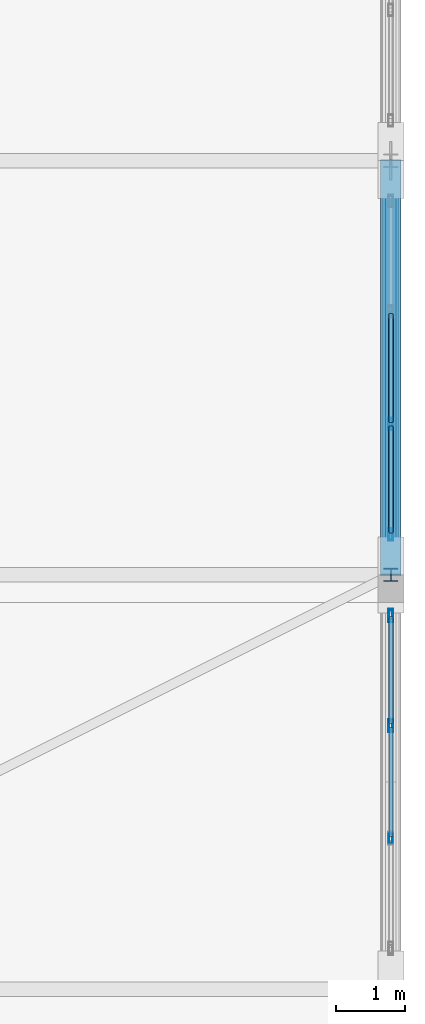
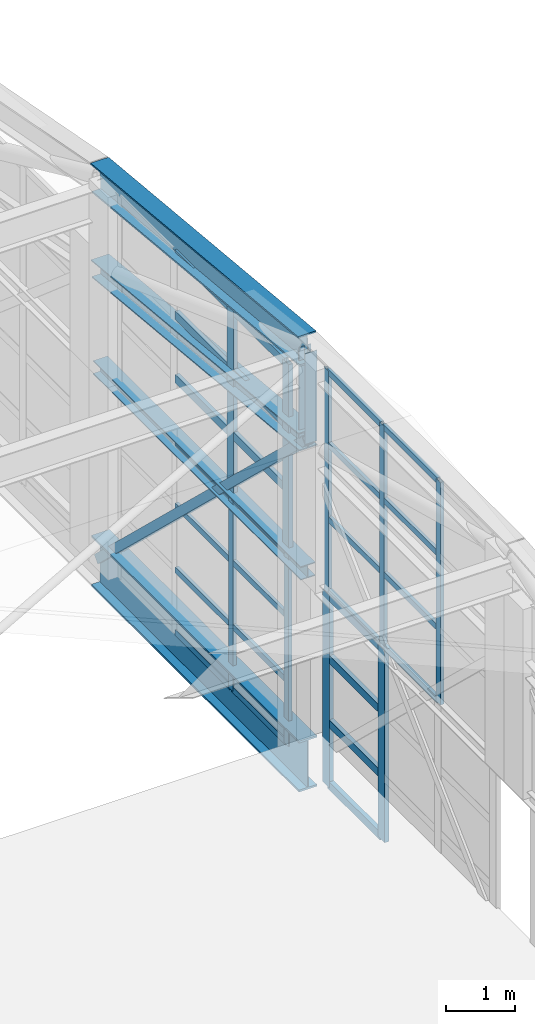
# One storey, part 137 of 204: 43 members, 4 elements without a shape of their own.
"""IFC4 building model written with IfcOpenShell, lengths in metres."""

from ifc_helpers import new_model, si_unit, direction, frame, origin, origin_2d, place, context, subcontext, project, spatial, hollow_rectangle, i_section, extrude, material, layer, layer_set, material_profile, profile_set, type_object, element, aggregate, save


model = new_model("IFC4")

# Units and contexts
model_context = context("Model", 3, precision=1e-05, world=origin(), true_north=direction((0.0, 1.0)))
body_context = subcontext(model_context, "Body", "Model", "MODEL_VIEW")
ifc_project = project(units=[si_unit("LENGTHUNIT", "METRE"), si_unit("AREAUNIT", "SQUARE_METRE"), si_unit("VOLUMEUNIT", "CUBIC_METRE"), si_unit("PLANEANGLEUNIT", "RADIAN"), si_unit("MASSUNIT", "GRAM", prefix="KILO")], contexts=[model_context])

# Site, building, storey
site_placement = place(None, origin())
site = spatial("IfcSite", under=ifc_project, at=site_placement, CompositionType="ELEMENT")
building_placement = place(site_placement, origin())
building = spatial("IfcBuilding", under=site, at=building_placement, Name="Zilviju Railside Exhibition Hall", CompositionType="ELEMENT")
storey_placement = place(building_placement, frame((0.0, 0.0, 21.0)))
storey = spatial("IfcBuildingStorey", under=building, at=storey_placement, Name="RF", CompositionType="ELEMENT", Elevation=21.0)

# Curtain wall, members
ifc_material_1 = material(Name="Thermally broken aluminium-steel triple-glazed curtain wall", Category="steel")
ifc_layer_1 = layer(ifc_material_1, 0.179931640625)
ifc_layer_set_1 = layer_set([ifc_layer_1], Name="Thermally broken aluminium-steel triple-glazed curtain wall")
curtain_wall_type_1 = type_object("IfcCurtainWallType", Name="CW-BAY-18", PredefinedType="USERDEFINED", material=ifc_layer_set_1)
curtain_wall_1_placement = place(storey_placement, origin())
curtain_wall_1 = element("IfcCurtainWall", 1, at=curtain_wall_1_placement, inside=storey, type_object=curtain_wall_type_1, Name="North Hall Arch Lower Tympanum Glazing East P6", ObjectType="GLAZED CURTAIN WALL", PredefinedType="USERDEFINED")
ifc_material_2 = material(Name="Thermally broken anodized aluminium mullion", Category="aluminium")
ifc_material_profile_1 = material_profile(ifc_material_2, hollow_rectangle(XDim=0.054931640625, YDim=0.1298828125, WallThickness=0.0048828125, at=origin_2d()), Name="MULLION 130x55x5")
ifc_profile_set_1 = profile_set([ifc_material_profile_1], Name="Thermally broken anodized aluminium mullion")
member_type_1 = type_object("IfcMemberType", Name="CWM-55x130", PredefinedType="MULLION", material=ifc_profile_set_1)
member_1_placement = place(storey_placement, frame((216.0, 116.183349609375, -3.60009765625), z_axis=(0.0, 0.0, 1.0), x_axis=(1.0, 0.0, 0.0)))
member_1 = element("IfcMember", 2, at=member_1_placement, type_object=member_type_1, Name="CW-18 mullion 3", PredefinedType="MULLION", context=body_context, shape_type="SweptSolid", body=[
    extrude(hollow_rectangle(XDim=0.054931640625, YDim=0.1298828125, WallThickness=0.0048828125, at=origin_2d()), origin(), (0.0, 0.0, 1.0), 3.400146484375),
])
member_2_placement = place(storey_placement, frame((216.0, 114.577392578125, -3.60009765625), z_axis=(0.0, 0.0, 1.0), x_axis=(1.0, 0.0, 0.0)))
member_2 = element("IfcMember", 3, at=member_2_placement, type_object=member_type_1, Name="CW-18 mullion 4", PredefinedType="MULLION", context=body_context, shape_type="SweptSolid", body=[
    extrude(hollow_rectangle(XDim=0.054931640625, YDim=0.1298828125, WallThickness=0.0048828125, at=origin_2d()), origin(), (0.0, 0.0, 1.0), 3.400146484375),
])

ifc_layer_2 = layer(ifc_material_1, 0.179931640625)
ifc_layer_set_2 = layer_set([ifc_layer_2], Name="Thermally broken aluminium-steel triple-glazed curtain wall")
curtain_wall_type_2 = type_object("IfcCurtainWallType", Name="CW-BAY-04", PredefinedType="USERDEFINED", material=ifc_layer_set_2)
curtain_wall_2_placement = place(storey_placement, origin())
curtain_wall_2 = element("IfcCurtainWall", 4, at=curtain_wall_2_placement, inside=storey, type_object=curtain_wall_type_2, Name="North Hall Crown Arch Tympanum Glazing East P5", ObjectType="GLAZED CURTAIN WALL", PredefinedType="USERDEFINED")
member_3_placement = place(storey_placement, frame((216.0, 113.422607421875, -0.199951171875), z_axis=(0.0, 0.0, 1.0), x_axis=(1.0, 0.0, 0.0)))
member_3 = element("IfcMember", 5, at=member_3_placement, type_object=member_type_1, Name="CW-04 mullion 1", PredefinedType="MULLION", context=body_context, shape_type="SweptSolid", body=[
    extrude(hollow_rectangle(XDim=0.054931640625, YDim=0.1298828125, WallThickness=0.0048828125, at=origin_2d()), origin(), (0.0, 0.0, 1.0), 3.928466796875),
])
member_4_placement = place(storey_placement, frame((216.0, 111.816650390625, -0.199951171875), z_axis=(0.0, 0.0, 1.0), x_axis=(1.0, 0.0, 0.0)))
member_4 = element("IfcMember", 6, at=member_4_placement, type_object=member_type_1, Name="CW-04 mullion 2", PredefinedType="MULLION", context=body_context, shape_type="SweptSolid", body=[
    extrude(hollow_rectangle(XDim=0.054931640625, YDim=0.1298828125, WallThickness=0.0048828125, at=origin_2d()), origin(), (0.0, 0.0, 1.0), 3.928466796875),
])
member_5_placement = place(storey_placement, frame((216.0, 110.183349609375, -0.199951171875), z_axis=(0.0, 0.0, 1.0), x_axis=(1.0, 0.0, 0.0)))
member_5 = element("IfcMember", 7, at=member_5_placement, type_object=member_type_1, Name="CW-04 mullion 3", PredefinedType="MULLION", context=body_context, shape_type="SweptSolid", body=[
    extrude(hollow_rectangle(XDim=0.054931640625, YDim=0.1298828125, WallThickness=0.0048828125, at=origin_2d()), origin(), (0.0, 0.0, 1.0), 3.928466796875),
])

ifc_layer_3 = layer(ifc_material_1, 0.179931640625)
ifc_layer_set_3 = layer_set([ifc_layer_3], Name="Thermally broken aluminium-steel triple-glazed curtain wall")
curtain_wall_type_3 = type_object("IfcCurtainWallType", Name="CW-BAY-05", PredefinedType="USERDEFINED", material=ifc_layer_set_3)
curtain_wall_3_placement = place(storey_placement, origin())
curtain_wall_3 = element("IfcCurtainWall", 8, at=curtain_wall_3_placement, inside=storey, type_object=curtain_wall_type_3, Name="North Hall Crown Arch Tympanum Glazing East P6", ObjectType="GLAZED CURTAIN WALL", PredefinedType="USERDEFINED")
ifc_material_profile_2 = material_profile(ifc_material_2, hollow_rectangle(XDim=0.070068359375, YDim=0.179931640625, WallThickness=0.0048828125, at=origin_2d()), Name="MULLION 180x70x5")
ifc_profile_set_2 = profile_set([ifc_material_profile_2], Name="Thermally broken anodized aluminium mullion")
member_type_2 = type_object("IfcMemberType", Name="CWM-70x180", PredefinedType="MULLION", material=ifc_profile_set_2)
member_6_placement = place(storey_placement, frame((216.0, 116.183349609375, -0.199951171875), z_axis=(0.0, 0.0, 1.0), x_axis=(1.0, 0.0, 0.0)))
member_6 = element("IfcMember", 9, at=member_6_placement, type_object=member_type_2, Name="CW-05 mullion 3", PredefinedType="MULLION", context=body_context, shape_type="SweptSolid", body=[
    extrude(hollow_rectangle(XDim=0.070068359375, YDim=0.179931640625, WallThickness=0.0048828125, at=origin_2d()), origin(), (0.0, 0.0, 1.0), 3.35546875),
])
member_7_placement = place(storey_placement, frame((216.0, 114.5849609375, -0.199951171875), z_axis=(0.0, 0.0, 1.0), x_axis=(1.0, 0.0, 0.0)))
member_7 = element("IfcMember", 10, at=member_7_placement, type_object=member_type_2, Name="CW-05 mullion 4", PredefinedType="MULLION", context=body_context, shape_type="SweptSolid", body=[
    extrude(hollow_rectangle(XDim=0.070068359375, YDim=0.179931640625, WallThickness=0.0048828125, at=origin_2d()), origin(), (0.0, 0.0, 1.0), 3.35546875),
])

ifc_layer_4 = layer(ifc_material_1, 0.179931640625)
ifc_layer_set_4 = layer_set([ifc_layer_4], Name="Thermally broken aluminium-steel triple-glazed curtain wall")
curtain_wall_type_4 = type_object("IfcCurtainWallType", Name="CW-BAY-17", PredefinedType="USERDEFINED", material=ifc_layer_set_4)
curtain_wall_4_placement = place(storey_placement, origin())
curtain_wall_4 = element("IfcCurtainWall", 11, at=curtain_wall_4_placement, inside=storey, type_object=curtain_wall_type_4, Name="North Hall Arch Lower Tympanum Glazing East P5", ObjectType="GLAZED CURTAIN WALL", PredefinedType="USERDEFINED")
ifc_material_profile_3 = material_profile(ifc_material_2, hollow_rectangle(XDim=0.074951171875, YDim=0.18994140625, WallThickness=0.0048828125, at=origin_2d()), Name="MULLION 190x75x5")
ifc_profile_set_3 = profile_set([ifc_material_profile_3], Name="Thermally broken anodized aluminium mullion")
member_type_3 = type_object("IfcMemberType", Name="CWM-75x190", PredefinedType="MULLION", material=ifc_profile_set_3)
member_8_placement = place(storey_placement, frame((216.0, 113.41259765625, -3.60009765625), z_axis=(0.0, 0.0, 1.0), x_axis=(1.0, 0.0, 0.0)))
member_8 = element("IfcMember", 12, at=member_8_placement, type_object=member_type_3, Name="CW-17 mullion 1", PredefinedType="MULLION", context=body_context, shape_type="SweptSolid", body=[
    extrude(hollow_rectangle(XDim=0.074951171875, YDim=0.18994140625, WallThickness=0.0048828125, at=origin_2d()), origin(), (0.0, 0.0, 1.0), 3.400146484375),
])
member_9_placement = place(storey_placement, frame((216.0, 111.816650390625, -3.60009765625), z_axis=(0.0, 0.0, 1.0), x_axis=(1.0, 0.0, 0.0)))
member_9 = element("IfcMember", 13, at=member_9_placement, type_object=member_type_3, Name="CW-17 mullion 2", PredefinedType="MULLION", context=body_context, shape_type="SweptSolid", body=[
    extrude(hollow_rectangle(XDim=0.074951171875, YDim=0.18994140625, WallThickness=0.0048828125, at=origin_2d()), origin(), (0.0, 0.0, 1.0), 3.400146484375),
])

# Member
ifc_material_3 = material(Name="Thermally broken anodized aluminium transom", Category="aluminium")
ifc_material_profile_4 = material_profile(ifc_material_3, hollow_rectangle(XDim=0.054931640625, YDim=0.10498046875, WallThickness=0.0048828125, at=origin_2d()), Name="TRANSOM 105x55x5")
ifc_profile_set_4 = profile_set([ifc_material_profile_4], Name="Thermally broken anodized aluminium transom")
member_type_4 = type_object("IfcMemberType", Name="CWT-55x105", PredefinedType="USERDEFINED", material=ifc_profile_set_4)
member_10_placement = place(storey_placement, frame((216.0, 117.7890625, -3.572509765625), z_axis=(0.0, -1.0, 0.0), x_axis=(1.0, 0.0, 0.0)))
member_10 = element("IfcMember", 14, at=member_10_placement, type_object=member_type_4, Name="CW-18 transom 2.1", ObjectType="TRANSOM", PredefinedType="USERDEFINED", context=body_context, shape_type="SweptSolid", body=[
    extrude(hollow_rectangle(XDim=0.054931640625, YDim=0.10498046875, WallThickness=0.0048828125, at=origin_2d()), origin(), (0.0, 0.0, 1.0), 1.578125),
])

member_11_placement = place(storey_placement, frame((216.0, 117.7890625, -2.467041015625), z_axis=(0.0, -1.0, 0.0), x_axis=(1.0, 0.0, 0.0)))
member_11 = element("IfcMember", 15, at=member_11_placement, type_object=member_type_4, Name="CW-18 transom 2.2", ObjectType="TRANSOM", PredefinedType="USERDEFINED", context=body_context, shape_type="SweptSolid", body=[
    extrude(hollow_rectangle(XDim=0.054931640625, YDim=0.10498046875, WallThickness=0.0048828125, at=origin_2d()), origin(), (0.0, 0.0, 1.0), 1.578125),
])

member_12_placement = place(storey_placement, frame((216.0, 117.7890625, -1.3330078125), z_axis=(0.0, -1.0, 0.0), x_axis=(1.0, 0.0, 0.0)))
member_12 = element("IfcMember", 16, at=member_12_placement, type_object=member_type_4, Name="CW-18 transom 2.3", ObjectType="TRANSOM", PredefinedType="USERDEFINED", context=body_context, shape_type="SweptSolid", body=[
    extrude(hollow_rectangle(XDim=0.054931640625, YDim=0.10498046875, WallThickness=0.0048828125, at=origin_2d()), origin(), (0.0, 0.0, 1.0), 1.578125),
])

member_13_placement = place(storey_placement, frame((216.0, 117.7890625, -0.2275390625), z_axis=(0.0, -1.0, 0.0), x_axis=(1.0, 0.0, 0.0)))
member_13 = element("IfcMember", 17, at=member_13_placement, type_object=member_type_4, Name="CW-18 transom 2.4", ObjectType="TRANSOM", PredefinedType="USERDEFINED", context=body_context, shape_type="SweptSolid", body=[
    extrude(hollow_rectangle(XDim=0.054931640625, YDim=0.10498046875, WallThickness=0.0048828125, at=origin_2d()), origin(), (0.0, 0.0, 1.0), 1.578125),
])

member_14_placement = place(storey_placement, frame((216.0, 116.15576171875, -3.572509765625), z_axis=(0.0, -1.0, 0.0), x_axis=(1.0, 0.0, 0.0)))
member_14 = element("IfcMember", 18, at=member_14_placement, type_object=member_type_4, Name="CW-18 transom 3.1", ObjectType="TRANSOM", PredefinedType="USERDEFINED", context=body_context, shape_type="SweptSolid", body=[
    extrude(hollow_rectangle(XDim=0.054931640625, YDim=0.10498046875, WallThickness=0.0048828125, at=origin_2d()), origin(), (0.0, 0.0, 1.0), 1.55078125),
])

member_15_placement = place(storey_placement, frame((216.0, 116.15576171875, -2.467041015625), z_axis=(0.0, -1.0, 0.0), x_axis=(1.0, 0.0, 0.0)))
member_15 = element("IfcMember", 19, at=member_15_placement, type_object=member_type_4, Name="CW-18 transom 3.2", ObjectType="TRANSOM", PredefinedType="USERDEFINED", context=body_context, shape_type="SweptSolid", body=[
    extrude(hollow_rectangle(XDim=0.054931640625, YDim=0.10498046875, WallThickness=0.0048828125, at=origin_2d()), origin(), (0.0, 0.0, 1.0), 1.55078125),
])

member_16_placement = place(storey_placement, frame((216.0, 116.15576171875, -1.3330078125), z_axis=(0.0, -1.0, 0.0), x_axis=(1.0, 0.0, 0.0)))
member_16 = element("IfcMember", 20, at=member_16_placement, type_object=member_type_4, Name="CW-18 transom 3.3", ObjectType="TRANSOM", PredefinedType="USERDEFINED", context=body_context, shape_type="SweptSolid", body=[
    extrude(hollow_rectangle(XDim=0.054931640625, YDim=0.10498046875, WallThickness=0.0048828125, at=origin_2d()), origin(), (0.0, 0.0, 1.0), 1.55078125),
])

member_17_placement = place(storey_placement, frame((216.0, 116.15576171875, -0.2275390625), z_axis=(0.0, -1.0, 0.0), x_axis=(1.0, 0.0, 0.0)))
member_17 = element("IfcMember", 21, at=member_17_placement, type_object=member_type_4, Name="CW-18 transom 3.4", ObjectType="TRANSOM", PredefinedType="USERDEFINED", context=body_context, shape_type="SweptSolid", body=[
    extrude(hollow_rectangle(XDim=0.054931640625, YDim=0.10498046875, WallThickness=0.0048828125, at=origin_2d()), origin(), (0.0, 0.0, 1.0), 1.55078125),
])

aggregate(curtain_wall_1, [member_1, member_2, member_10, member_11, member_12, member_13, member_14, member_15, member_16, member_17])

member_18_placement = place(storey_placement, frame((216.0, 113.39501953125, -0.172607421875), z_axis=(0.0, -1.0, 0.0), x_axis=(1.0, 0.0, 0.0)))
member_18 = element("IfcMember", 22, at=member_18_placement, type_object=member_type_4, Name="CW-04 transom 1.1", ObjectType="TRANSOM", PredefinedType="USERDEFINED", context=body_context, shape_type="SweptSolid", body=[
    extrude(hollow_rectangle(XDim=0.054931640625, YDim=0.10498046875, WallThickness=0.0048828125, at=origin_2d()), origin(), (0.0, 0.0, 1.0), 1.55078125),
])

member_19_placement = place(storey_placement, frame((216.0, 113.39501953125, 1.10888671875), z_axis=(0.0, -1.0, 0.0), x_axis=(1.0, 0.0, 0.0)))
member_19 = element("IfcMember", 23, at=member_19_placement, type_object=member_type_4, Name="CW-04 transom 1.2", ObjectType="TRANSOM", PredefinedType="USERDEFINED", context=body_context, shape_type="SweptSolid", body=[
    extrude(hollow_rectangle(XDim=0.054931640625, YDim=0.10498046875, WallThickness=0.0048828125, at=origin_2d()), origin(), (0.0, 0.0, 1.0), 1.55078125),
])

member_20_placement = place(storey_placement, frame((216.0, 113.39501953125, 2.4189453125), z_axis=(0.0, -1.0, 0.0), x_axis=(1.0, 0.0, 0.0)))
member_20 = element("IfcMember", 24, at=member_20_placement, type_object=member_type_4, Name="CW-04 transom 1.3", ObjectType="TRANSOM", PredefinedType="USERDEFINED", context=body_context, shape_type="SweptSolid", body=[
    extrude(hollow_rectangle(XDim=0.054931640625, YDim=0.10498046875, WallThickness=0.0048828125, at=origin_2d()), origin(), (0.0, 0.0, 1.0), 1.55078125),
])

member_21_placement = place(storey_placement, frame((216.0, 113.39501953125, 3.700927734375), z_axis=(0.0, -1.0, 0.0), x_axis=(1.0, 0.0, 0.0)))
member_21 = element("IfcMember", 25, at=member_21_placement, type_object=member_type_4, Name="CW-04 transom 1.4", ObjectType="TRANSOM", PredefinedType="USERDEFINED", context=body_context, shape_type="SweptSolid", body=[
    extrude(hollow_rectangle(XDim=0.054931640625, YDim=0.10498046875, WallThickness=0.0048828125, at=origin_2d()), origin(), (0.0, 0.0, 1.0), 1.55078125),
])

member_22_placement = place(storey_placement, frame((216.0, 111.7890625, -0.172607421875), z_axis=(0.0, -1.0, 0.0), x_axis=(1.0, 0.0, 0.0)))
member_22 = element("IfcMember", 26, at=member_22_placement, type_object=member_type_4, Name="CW-04 transom 2.1", ObjectType="TRANSOM", PredefinedType="USERDEFINED", context=body_context, shape_type="SweptSolid", body=[
    extrude(hollow_rectangle(XDim=0.054931640625, YDim=0.10498046875, WallThickness=0.0048828125, at=origin_2d()), origin(), (0.0, 0.0, 1.0), 1.578125),
])

member_23_placement = place(storey_placement, frame((216.0, 111.7890625, 1.10888671875), z_axis=(0.0, -1.0, 0.0), x_axis=(1.0, 0.0, 0.0)))
member_23 = element("IfcMember", 27, at=member_23_placement, type_object=member_type_4, Name="CW-04 transom 2.2", ObjectType="TRANSOM", PredefinedType="USERDEFINED", context=body_context, shape_type="SweptSolid", body=[
    extrude(hollow_rectangle(XDim=0.054931640625, YDim=0.10498046875, WallThickness=0.0048828125, at=origin_2d()), origin(), (0.0, 0.0, 1.0), 1.578125),
])

member_24_placement = place(storey_placement, frame((216.0, 111.7890625, 2.4189453125), z_axis=(0.0, -1.0, 0.0), x_axis=(1.0, 0.0, 0.0)))
member_24 = element("IfcMember", 28, at=member_24_placement, type_object=member_type_4, Name="CW-04 transom 2.3", ObjectType="TRANSOM", PredefinedType="USERDEFINED", context=body_context, shape_type="SweptSolid", body=[
    extrude(hollow_rectangle(XDim=0.054931640625, YDim=0.10498046875, WallThickness=0.0048828125, at=origin_2d()), origin(), (0.0, 0.0, 1.0), 1.578125),
])

member_25_placement = place(storey_placement, frame((216.0, 111.7890625, 3.700927734375), z_axis=(0.0, -1.0, 0.0), x_axis=(1.0, 0.0, 0.0)))
member_25 = element("IfcMember", 29, at=member_25_placement, type_object=member_type_4, Name="CW-04 transom 2.4", ObjectType="TRANSOM", PredefinedType="USERDEFINED", context=body_context, shape_type="SweptSolid", body=[
    extrude(hollow_rectangle(XDim=0.054931640625, YDim=0.10498046875, WallThickness=0.0048828125, at=origin_2d()), origin(), (0.0, 0.0, 1.0), 1.578125),
])

aggregate(curtain_wall_2, [member_3, member_4, member_5, member_18, member_19, member_20, member_21, member_22, member_23, member_24, member_25])

ifc_material_profile_5 = material_profile(ifc_material_3, hollow_rectangle(XDim=0.070068359375, YDim=0.14990234375, WallThickness=0.0048828125, at=origin_2d()), Name="TRANSOM 150x70x5")
ifc_profile_set_5 = profile_set([ifc_material_profile_5], Name="Thermally broken anodized aluminium transom")
member_type_5 = type_object("IfcMemberType", Name="CWT-70x150", PredefinedType="USERDEFINED", material=ifc_profile_set_5)
member_26_placement = place(storey_placement, frame((216.0, 117.78173828125, -0.1650390625), z_axis=(0.0, -1.0, 0.0), x_axis=(1.0, 0.0, 0.0)))
member_26 = element("IfcMember", 30, at=member_26_placement, type_object=member_type_5, Name="CW-05 transom 2.1", ObjectType="TRANSOM", PredefinedType="USERDEFINED", context=body_context, shape_type="SweptSolid", body=[
    extrude(hollow_rectangle(XDim=0.070068359375, YDim=0.14990234375, WallThickness=0.0048828125, at=origin_2d()), origin(), (0.0, 0.0, 1.0), 1.5634765625),
])

member_27_placement = place(storey_placement, frame((216.0, 117.78173828125, 0.9189453125), z_axis=(0.0, -1.0, 0.0), x_axis=(1.0, 0.0, 0.0)))
member_27 = element("IfcMember", 31, at=member_27_placement, type_object=member_type_5, Name="CW-05 transom 2.2", ObjectType="TRANSOM", PredefinedType="USERDEFINED", context=body_context, shape_type="SweptSolid", body=[
    extrude(hollow_rectangle(XDim=0.070068359375, YDim=0.14990234375, WallThickness=0.0048828125, at=origin_2d()), origin(), (0.0, 0.0, 1.0), 1.5634765625),
])

member_28_placement = place(storey_placement, frame((216.0, 117.78173828125, 2.037109375), z_axis=(0.0, -1.0, 0.0), x_axis=(1.0, 0.0, 0.0)))
member_28 = element("IfcMember", 32, at=member_28_placement, type_object=member_type_5, Name="CW-05 transom 2.3", ObjectType="TRANSOM", PredefinedType="USERDEFINED", context=body_context, shape_type="SweptSolid", body=[
    extrude(hollow_rectangle(XDim=0.070068359375, YDim=0.14990234375, WallThickness=0.0048828125, at=origin_2d()), origin(), (0.0, 0.0, 1.0), 1.5634765625),
])

member_29_placement = place(storey_placement, frame((216.0, 117.78173828125, 3.12060546875), z_axis=(0.0, -1.0, 0.0), x_axis=(1.0, 0.0, 0.0)))
member_29 = element("IfcMember", 33, at=member_29_placement, type_object=member_type_5, Name="CW-05 transom 2.4", ObjectType="TRANSOM", PredefinedType="USERDEFINED", context=body_context, shape_type="SweptSolid", body=[
    extrude(hollow_rectangle(XDim=0.070068359375, YDim=0.14990234375, WallThickness=0.0048828125, at=origin_2d()), origin(), (0.0, 0.0, 1.0), 1.5634765625),
])

member_30_placement = place(storey_placement, frame((216.0, 116.1484375, -0.1650390625), z_axis=(0.0, -1.0, 0.0), x_axis=(1.0, 0.0, 0.0)))
member_30 = element("IfcMember", 34, at=member_30_placement, type_object=member_type_5, Name="CW-05 transom 3.1", ObjectType="TRANSOM", PredefinedType="USERDEFINED", context=body_context, shape_type="SweptSolid", body=[
    extrude(hollow_rectangle(XDim=0.070068359375, YDim=0.14990234375, WallThickness=0.0048828125, at=origin_2d()), origin(), (0.0, 0.0, 1.0), 1.5283203125),
])

member_31_placement = place(storey_placement, frame((216.0, 116.1484375, 0.9189453125), z_axis=(0.0, -1.0, 0.0), x_axis=(1.0, 0.0, 0.0)))
member_31 = element("IfcMember", 35, at=member_31_placement, type_object=member_type_5, Name="CW-05 transom 3.2", ObjectType="TRANSOM", PredefinedType="USERDEFINED", context=body_context, shape_type="SweptSolid", body=[
    extrude(hollow_rectangle(XDim=0.070068359375, YDim=0.14990234375, WallThickness=0.0048828125, at=origin_2d()), origin(), (0.0, 0.0, 1.0), 1.5283203125),
])

member_32_placement = place(storey_placement, frame((216.0, 116.1484375, 2.037109375), z_axis=(0.0, -1.0, 0.0), x_axis=(1.0, 0.0, 0.0)))
member_32 = element("IfcMember", 36, at=member_32_placement, type_object=member_type_5, Name="CW-05 transom 3.3", ObjectType="TRANSOM", PredefinedType="USERDEFINED", context=body_context, shape_type="SweptSolid", body=[
    extrude(hollow_rectangle(XDim=0.070068359375, YDim=0.14990234375, WallThickness=0.0048828125, at=origin_2d()), origin(), (0.0, 0.0, 1.0), 1.5283203125),
])

member_33_placement = place(storey_placement, frame((216.0, 116.1484375, 3.12060546875), z_axis=(0.0, -1.0, 0.0), x_axis=(1.0, 0.0, 0.0)))
member_33 = element("IfcMember", 37, at=member_33_placement, type_object=member_type_5, Name="CW-05 transom 3.4", ObjectType="TRANSOM", PredefinedType="USERDEFINED", context=body_context, shape_type="SweptSolid", body=[
    extrude(hollow_rectangle(XDim=0.070068359375, YDim=0.14990234375, WallThickness=0.0048828125, at=origin_2d()), origin(), (0.0, 0.0, 1.0), 1.5283203125),
])

aggregate(curtain_wall_3, [member_6, member_7, member_26, member_27, member_28, member_29, member_30, member_31, member_32, member_33])

ifc_material_profile_6 = material_profile(ifc_material_3, hollow_rectangle(XDim=0.074951171875, YDim=0.139892578125, WallThickness=0.0048828125, at=origin_2d()), Name="TRANSOM 140x75x5")
ifc_profile_set_6 = profile_set([ifc_material_profile_6], Name="Thermally broken anodized aluminium transom")
member_type_6 = type_object("IfcMemberType", Name="CWT-75x140", PredefinedType="USERDEFINED", material=ifc_profile_set_6)
member_34_placement = place(storey_placement, frame((216.0, 113.375, -3.5625), z_axis=(0.0, -1.0, 0.0), x_axis=(1.0, 0.0, 0.0)))
member_34 = element("IfcMember", 38, at=member_34_placement, type_object=member_type_6, Name="CW-17 transom 1.1", ObjectType="TRANSOM", PredefinedType="USERDEFINED", context=body_context, shape_type="SweptSolid", body=[
    extrude(hollow_rectangle(XDim=0.074951171875, YDim=0.139892578125, WallThickness=0.0048828125, at=origin_2d()), origin(), (0.0, 0.0, 1.0), 1.520751953125),
])

member_35_placement = place(storey_placement, frame((216.0, 113.375, -2.467041015625), z_axis=(0.0, -1.0, 0.0), x_axis=(1.0, 0.0, 0.0)))
member_35 = element("IfcMember", 39, at=member_35_placement, type_object=member_type_6, Name="CW-17 transom 1.2", ObjectType="TRANSOM", PredefinedType="USERDEFINED", context=body_context, shape_type="SweptSolid", body=[
    extrude(hollow_rectangle(XDim=0.074951171875, YDim=0.139892578125, WallThickness=0.0048828125, at=origin_2d()), origin(), (0.0, 0.0, 1.0), 1.520751953125),
])

member_36_placement = place(storey_placement, frame((216.0, 113.375, -1.3330078125), z_axis=(0.0, -1.0, 0.0), x_axis=(1.0, 0.0, 0.0)))
member_36 = element("IfcMember", 40, at=member_36_placement, type_object=member_type_6, Name="CW-17 transom 1.3", ObjectType="TRANSOM", PredefinedType="USERDEFINED", context=body_context, shape_type="SweptSolid", body=[
    extrude(hollow_rectangle(XDim=0.074951171875, YDim=0.139892578125, WallThickness=0.0048828125, at=origin_2d()), origin(), (0.0, 0.0, 1.0), 1.520751953125),
])

member_37_placement = place(storey_placement, frame((216.0, 113.375, -0.237548828125), z_axis=(0.0, -1.0, 0.0), x_axis=(1.0, 0.0, 0.0)))
member_37 = element("IfcMember", 41, at=member_37_placement, type_object=member_type_6, Name="CW-17 transom 1.4", ObjectType="TRANSOM", PredefinedType="USERDEFINED", context=body_context, shape_type="SweptSolid", body=[
    extrude(hollow_rectangle(XDim=0.074951171875, YDim=0.139892578125, WallThickness=0.0048828125, at=origin_2d()), origin(), (0.0, 0.0, 1.0), 1.520751953125),
])

aggregate(curtain_wall_4, [member_8, member_9, member_34, member_35, member_36, member_37])

# Members
ifc_material_4 = material(Name="Steel S355J2", Category="steel")
ifc_material_profile_7 = material_profile(ifc_material_4, i_section(OverallWidth=0.239990234375, OverallDepth=0.239990234375, WebThickness=0.010009765625, FlangeThickness=0.01708984375, at=origin_2d()), Name="HEB 240")
ifc_profile_set_7 = profile_set([ifc_material_profile_7], Name="Steel S355J2")
member_type_7 = type_object("IfcMemberType", Name="TR-CH-HEB240", PredefinedType="CHORD", material=ifc_profile_set_7)
member_38_placement = place(storey_placement, frame((216.0, 114.0, -0.199951171875), z_axis=(0.0, 1.0, 0.0), x_axis=(-1.0, 0.0, 0.0)))
element("IfcMember", 42, at=member_38_placement, inside=storey, type_object=member_type_7, Name="V2 Crown Gable Transom X=216.0 (114..120)", PredefinedType="CHORD", context=body_context, shape_type="SweptSolid", body=[
    extrude(i_section(OverallWidth=0.239990234375, OverallDepth=0.239990234375, WebThickness=0.010009765625, FlangeThickness=0.01708984375, at=origin_2d()), origin(), (0.0, 0.0, 1.0), 6.0),
])
ifc_material_5 = material(Name="Steel S355ML", Category="steel")
ifc_material_profile_8 = material_profile(ifc_material_5, i_section(OverallWidth=0.300048828125, OverallDepth=0.300048828125, WebThickness=0.010986328125, FlangeThickness=0.01904296875, at=origin_2d()), Name="HEB 300")
ifc_profile_set_8 = profile_set([ifc_material_profile_8], Name="Steel S355ML")
member_type_8 = type_object("IfcMemberType", Name="TR-CH-HEB300", PredefinedType="CHORD", material=ifc_profile_set_8)
member_39_placement = place(storey_placement, frame((216.0, 114.0, 2.12841796875), z_axis=(0.0, 0.995474695123, -0.095027003367), x_axis=(-1.0, 0.0, 0.0)))
element("IfcMember", 43, at=member_39_placement, inside=storey, type_object=member_type_8, Name="V2 Parabolic Arch Bottom Chord X=216.0 P6", PredefinedType="CHORD", context=body_context, shape_type="SweptSolid", body=[
    extrude(i_section(OverallWidth=0.300048828125, OverallDepth=0.300048828125, WebThickness=0.010986328125, FlangeThickness=0.01904296875, at=origin_2d()), origin(), (0.0, 0.0, 1.0), 6.02734375),
])
ifc_material_profile_9 = material_profile(ifc_material_5, i_section(OverallWidth=0.300048828125, OverallDepth=0.5, WebThickness=0.014404296875, FlangeThickness=0.028076171875, at=origin_2d()), Name="HEB 500")
ifc_profile_set_9 = profile_set([ifc_material_profile_9], Name="Steel S355ML")
member_type_9 = type_object("IfcMemberType", Name="TR-CH-HEB500-ML", PredefinedType="CHORD", material=ifc_profile_set_9)
member_40_placement = place(storey_placement, frame((216.0, 114.0, 3.728515625), z_axis=(0.0, 0.995470862587, -0.095067143331), x_axis=(-1.0, 0.0, 0.0)))
element("IfcMember", 44, at=member_40_placement, inside=storey, type_object=member_type_9, Name="V2 Parabolic Arch Top Chord X=216.0 P6", PredefinedType="CHORD", context=body_context, shape_type="SweptSolid", body=[
    extrude(i_section(OverallWidth=0.300048828125, OverallDepth=0.5, WebThickness=0.014404296875, FlangeThickness=0.028076171875, at=origin_2d()), origin(), (0.0, 0.0, 1.0), 6.02734375),
])
ifc_material_profile_10 = material_profile(ifc_material_5, i_section(OverallWidth=0.199951171875, OverallDepth=0.18994140625, WebThickness=0.006591796875, FlangeThickness=0.010009765625, at=origin_2d()), Name="HEA 200")
ifc_profile_set_10 = profile_set([ifc_material_profile_10], Name="Steel S355ML")
member_type_10 = type_object("IfcMemberType", Name="TR-POST-HEA200", PredefinedType="POST", material=ifc_profile_set_10)
member_41_placement = place(storey_placement, frame((216.0, 114.0, 2.12841796875), z_axis=(0.0, 0.0, 1.0), x_axis=(1.0, 0.0, 0.0)))
element("IfcMember", 45, at=member_41_placement, inside=storey, type_object=member_type_10, Name="V2 Parabolic Arch Web Post X=216.0 N5", PredefinedType="POST", context=body_context, shape_type="SweptSolid", body=[
    extrude(i_section(OverallWidth=0.199951171875, OverallDepth=0.18994140625, WebThickness=0.006591796875, FlangeThickness=0.010009765625, at=origin_2d()), origin(), (0.0, 0.0, 1.0), 1.60009765625),
])
ifc_material_profile_11 = material_profile(ifc_material_4, hollow_rectangle(XDim=0.14990234375, YDim=0.14990234375, WallThickness=0.008056640625, at=origin_2d()), Name="SHS 150x150x8.0")
ifc_profile_set_11 = profile_set([ifc_material_profile_11], Name="Steel S355J2")
member_type_11 = type_object("IfcMemberType", Name="TR-POST-SHS150", PredefinedType="POST", material=ifc_profile_set_11)
member_42_placement = place(storey_placement, frame((216.0, 120.0, -3.60009765625), z_axis=(0.0, -0.723280707221, 0.690554138763), x_axis=(1.0, 0.0, 0.0)))
element("IfcMember", 46, at=member_42_placement, inside=storey, type_object=member_type_11, Name="V2 Arch Tie Hanger X=216.0 N6", PredefinedType="POST", context=body_context, shape_type="SweptSolid", body=[
    extrude(hollow_rectangle(XDim=0.14990234375, YDim=0.14990234375, WallThickness=0.008056640625, at=origin_2d()), origin(), (0.0, 0.0, 1.0), 8.295654296875),
])
ifc_material_profile_12 = material_profile(ifc_material_4, i_section(OverallWidth=0.300048828125, OverallDepth=0.89990234375, WebThickness=0.0185546875, FlangeThickness=0.034912109375, at=origin_2d()), Name="HEB 900")
ifc_profile_set_12 = profile_set([ifc_material_profile_12], Name="Steel S355J2")
member_type_12 = type_object("IfcMemberType", Name="TR-TIE-HEB900", PredefinedType="CHORD", material=ifc_profile_set_12)
member_43_placement = place(storey_placement, frame((216.0, 114.0, -3.60009765625), z_axis=(0.0, 1.0, 0.0), x_axis=(-1.0, 0.0, 0.0)))
element("IfcMember", 47, at=member_43_placement, inside=storey, type_object=member_type_12, Name="V2 Arch Tie Member X=216.0", PredefinedType="CHORD", context=body_context, shape_type="SweptSolid", body=[
    extrude(i_section(OverallWidth=0.300048828125, OverallDepth=0.89990234375, WebThickness=0.0185546875, FlangeThickness=0.034912109375, at=origin_2d()), origin(), (0.0, 0.0, 1.0), 6.0),
])

save(model, "model.ifc")
